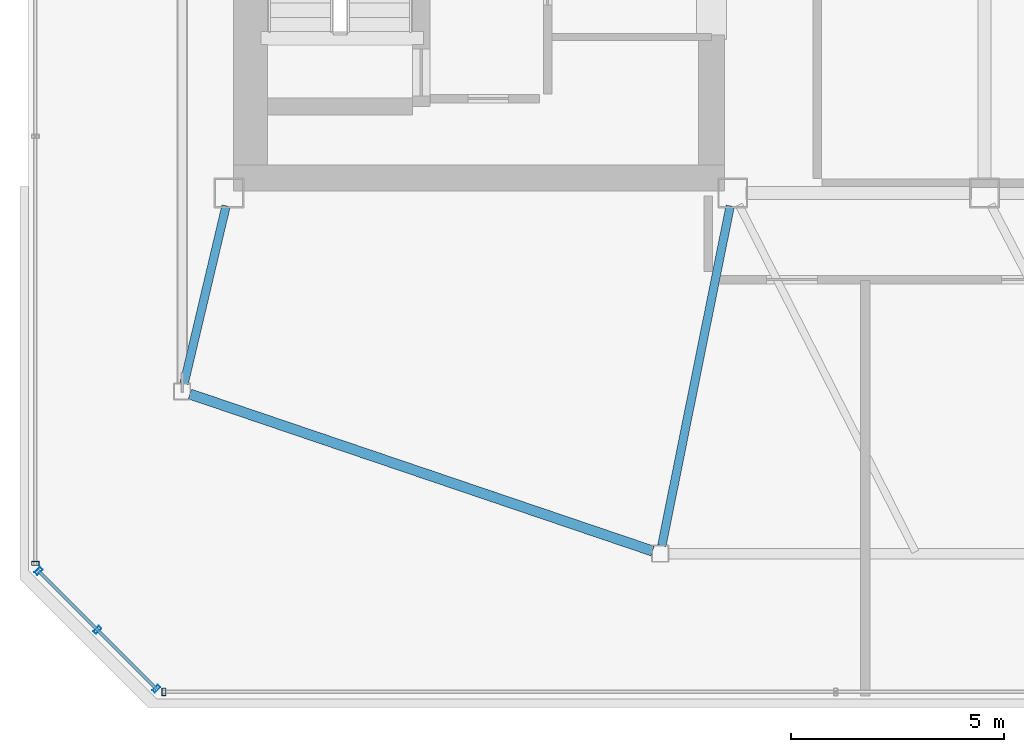
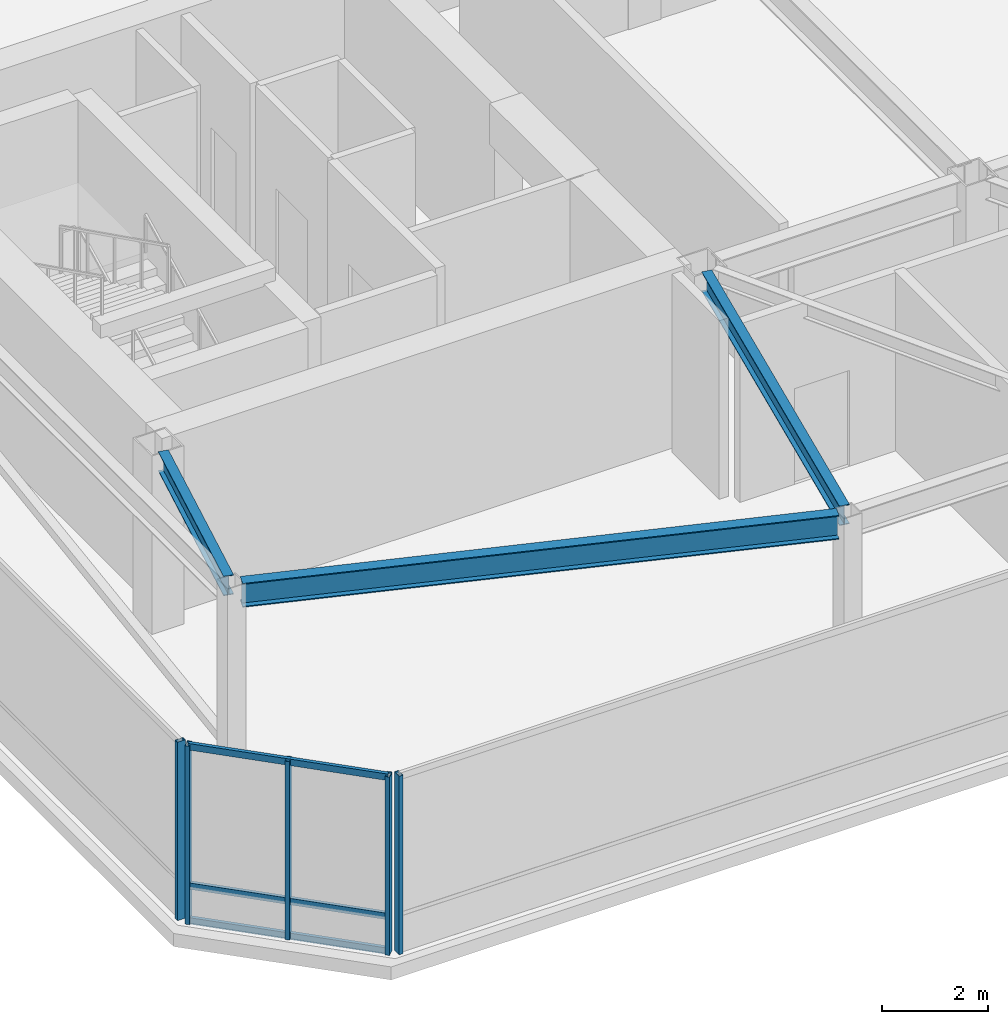
# One storey, part 2 of 22: 8 members, 3 beams, 3 elements without a shape of their own.
"""IFC4 building model written with IfcOpenShell, lengths in metres."""

from ifc_helpers import new_model, si_unit, direction, frame, origin, origin_2d, place, context, subcontext, project, spatial, hollow_rectangle, i_section, extrude, material, layer, layer_set, material_profile, profile_set, type_object, element, aggregate, save


model = new_model("IFC4")

# Units and contexts
model_context = context("Model", 3, precision=1e-05, world=origin(), true_north=direction((0.0, 1.0)))
body_context = subcontext(model_context, "Body", "Model", "MODEL_VIEW")
ifc_project = project(units=[si_unit("LENGTHUNIT", "METRE"), si_unit("AREAUNIT", "SQUARE_METRE"), si_unit("VOLUMEUNIT", "CUBIC_METRE"), si_unit("PLANEANGLEUNIT", "RADIAN"), si_unit("MASSUNIT", "GRAM", prefix="KILO")], contexts=[model_context])

# Site, building, storey
site_placement = place(None, origin())
site = spatial("IfcSite", under=ifc_project, at=site_placement, CompositionType="ELEMENT")
building_placement = place(site_placement, origin())
building = spatial("IfcBuilding", under=site, at=building_placement, Name="Tavrogorsk Clinical Tower", CompositionType="ELEMENT")
storey_placement = place(building_placement, frame((0.0, 0.0, 339.800048828125)))
storey = spatial("IfcBuildingStorey", under=building, at=storey_placement, Name="L79", CompositionType="ELEMENT", Elevation=339.800048828125)

# Curtain wall, members
ifc_material_1 = material(Name="Anodised aluminium and triple IGU glazing", Category="aluminium")
ifc_layer = layer(ifc_material_1, 0.179931640625)
ifc_layer_set = layer_set([ifc_layer], Name="Anodised aluminium and triple IGU glazing")
curtain_wall_type = type_object("IfcCurtainWallType", Name="CW6_TmdLantern", PredefinedType="NOTDEFINED", material=ifc_layer_set)
curtain_wall_1_placement = place(storey_placement, origin())
curtain_wall_1 = element("IfcCurtainWall", 1, at=curtain_wall_1_placement, inside=storey, type_object=curtain_wall_type, Name="L79 Curtain Wall CW-L79-DRUM-1", PredefinedType="NOTDEFINED")
ifc_material_2 = material(Name="Anodised aluminium alloy AW-6060", Category="aluminium")
ifc_material_profile_1 = material_profile(ifc_material_2, hollow_rectangle(XDim=0.090087890625, YDim=0.179931640625, WallThickness=0.00634765625, at=origin_2d()), Name="RHS-180x90x6.3")
ifc_profile_set_1 = profile_set([ifc_material_profile_1], Name="Anodised aluminium alloy AW-6060")
member_type_1 = type_object("IfcMemberType", Name="CwMullion_180x90", PredefinedType="MULLION", material=ifc_profile_set_1)
member_1_placement = place(storey_placement, frame((-23.807861328125, -17.9658203125, 0.0), z_axis=(0.0, 0.0, 1.0), x_axis=(-0.707106781187, 0.707106781187, 0.0)))
member_1 = element("IfcMember", 2, at=member_1_placement, type_object=member_type_1, Name="CW-L79-DRUM-1 Mullion 1", PredefinedType="MULLION", context=body_context, shape_type="SweptSolid", body=[
    extrude(hollow_rectangle(XDim=0.090087890625, YDim=0.179931640625, WallThickness=0.00634765625, at=origin_2d()), origin(), (0.0, 0.0, 1.0), 4.099853515625),
])
member_2_placement = place(storey_placement, frame((-25.186767578125, -16.5869140625, 0.0), z_axis=(0.0, 0.0, 1.0), x_axis=(-0.707106781187, 0.707106781187, 0.0)))
member_2 = element("IfcMember", 3, at=member_2_placement, type_object=member_type_1, Name="CW-L79-DRUM-1 Mullion 2", PredefinedType="MULLION", context=body_context, shape_type="SweptSolid", body=[
    extrude(hollow_rectangle(XDim=0.090087890625, YDim=0.179931640625, WallThickness=0.00634765625, at=origin_2d()), origin(), (0.0, 0.0, 1.0), 4.099853515625),
])
member_3_placement = place(storey_placement, frame((-26.565673828125, -15.2080078125, 0.0), z_axis=(0.0, 0.0, 1.0), x_axis=(-0.707106781187, 0.707106781187, 0.0)))
member_3 = element("IfcMember", 4, at=member_3_placement, type_object=member_type_1, Name="CW-L79-DRUM-1 Mullion 3", PredefinedType="MULLION", context=body_context, shape_type="SweptSolid", body=[
    extrude(hollow_rectangle(XDim=0.090087890625, YDim=0.179931640625, WallThickness=0.00634765625, at=origin_2d()), origin(), (0.0, 0.0, 1.0), 4.099853515625),
])

# Curtain wall, member
curtain_wall_2_placement = place(storey_placement, origin())
curtain_wall_2 = element("IfcCurtainWall", 5, at=curtain_wall_2_placement, inside=storey, type_object=curtain_wall_type, Name="L79 Curtain Wall CW-L79-DRUM-2", PredefinedType="NOTDEFINED")
member_4_placement = place(storey_placement, frame((-26.639892578125, -15.02880859375, 0.0), z_axis=(0.0, 0.0, 1.0), x_axis=(0.0, 1.0, 0.0)))
member_4 = element("IfcMember", 6, at=member_4_placement, type_object=member_type_1, Name="CW-L79-DRUM-2 Mullion 1", PredefinedType="MULLION", context=body_context, shape_type="SweptSolid", body=[
    extrude(hollow_rectangle(XDim=0.090087890625, YDim=0.179931640625, WallThickness=0.00634765625, at=origin_2d()), origin(), (0.0, 0.0, 1.0), 4.099853515625),
])
aggregate(curtain_wall_2, [member_4])

curtain_wall_3_placement = place(storey_placement, origin())
curtain_wall_3 = element("IfcCurtainWall", 7, at=curtain_wall_3_placement, inside=storey, type_object=curtain_wall_type, Name="L79 Curtain Wall CW-L79-DRUM-8", PredefinedType="NOTDEFINED")
member_5_placement = place(storey_placement, frame((-23.628662109375, -18.0400390625, 0.0), z_axis=(0.0, 0.0, 1.0), x_axis=(-1.0, 0.0, 0.0)))
member_5 = element("IfcMember", 8, at=member_5_placement, type_object=member_type_1, Name="CW-L79-DRUM-8 Mullion 4", PredefinedType="MULLION", context=body_context, shape_type="SweptSolid", body=[
    extrude(hollow_rectangle(XDim=0.090087890625, YDim=0.179931640625, WallThickness=0.00634765625, at=origin_2d()), origin(), (0.0, 0.0, 1.0), 4.099853515625),
])
aggregate(curtain_wall_3, [member_5])

# Member
ifc_material_3 = material(Name="Anodised aluminium alloy AW-6060", Category="aluminium")
ifc_material_profile_2 = material_profile(ifc_material_3, hollow_rectangle(XDim=0.074951171875, YDim=0.14990234375, WallThickness=0.0048828125, at=origin_2d()), Name="RHS-150x75x5")
ifc_profile_set_2 = profile_set([ifc_material_profile_2], Name="Anodised aluminium alloy AW-6060")
member_type_2 = type_object("IfcMemberType", Name="CwTransom_150x75", PredefinedType="USERDEFINED", material=ifc_profile_set_2)
member_6_placement = place(storey_placement, frame((-23.807861328125, -17.9658203125, 0.050048828125), z_axis=(-0.707106781187, 0.707106781187, 0.0), x_axis=(-0.707106781187, -0.707106781187, 0.0)))
member_6 = element("IfcMember", 9, at=member_6_placement, type_object=member_type_2, Name="CW-L79-DRUM-1 Transom 1", ObjectType="TRANSOM", PredefinedType="USERDEFINED", context=body_context, shape_type="SweptSolid", body=[
    extrude(hollow_rectangle(XDim=0.074951171875, YDim=0.14990234375, WallThickness=0.0048828125, at=origin_2d()), origin(), (0.0, 0.0, 1.0), 3.900146484375),
])

member_7_placement = place(storey_placement, frame((-23.807861328125, -17.9658203125, 0.849853515625), z_axis=(-0.707106781187, 0.707106781187, 0.0), x_axis=(-0.707106781187, -0.707106781187, 0.0)))
member_7 = element("IfcMember", 10, at=member_7_placement, type_object=member_type_2, Name="CW-L79-DRUM-1 Transom 2", ObjectType="TRANSOM", PredefinedType="USERDEFINED", context=body_context, shape_type="SweptSolid", body=[
    extrude(hollow_rectangle(XDim=0.074951171875, YDim=0.14990234375, WallThickness=0.0048828125, at=origin_2d()), origin(), (0.0, 0.0, 1.0), 3.900146484375),
])

member_8_placement = place(storey_placement, frame((-23.807861328125, -17.9658203125, 4.050048828125), z_axis=(-0.707106781187, 0.707106781187, 0.0), x_axis=(-0.707106781187, -0.707106781187, 0.0)))
member_8 = element("IfcMember", 11, at=member_8_placement, type_object=member_type_2, Name="CW-L79-DRUM-1 Transom 3", ObjectType="TRANSOM", PredefinedType="USERDEFINED", context=body_context, shape_type="SweptSolid", body=[
    extrude(hollow_rectangle(XDim=0.074951171875, YDim=0.14990234375, WallThickness=0.0048828125, at=origin_2d()), origin(), (0.0, 0.0, 1.0), 3.900146484375),
])

aggregate(curtain_wall_1, [member_1, member_2, member_3, member_6, member_7, member_8])

# Beams
ifc_material_4 = material(Name="Structural steel S355", Category="steel")
ifc_material_profile_3 = material_profile(ifc_material_4, i_section(OverallWidth=0.199951171875, OverallDepth=0.449951171875, WebThickness=0.011474609375, FlangeThickness=0.01806640625, at=origin_2d()), Name="B-450x200x11.5x18")
ifc_profile_set_3 = profile_set([ifc_material_profile_3], Name="Structural steel S355")
beam_type_1 = type_object("IfcBeamType", Name="FloorBeam_B450", PredefinedType="BEAM", material=ifc_profile_set_3)
beam_1_placement = place(storey_placement, frame((-10.361083984375, -6.65380859375, 3.875), z_axis=(-0.197249355273, -0.980353350504, 0.0), x_axis=(0.980353350504, -0.197249355273, 0.0)))
element("IfcBeam", 12, at=beam_1_placement, inside=storey, type_object=beam_type_1, Name="L79 Crown Radial Beam 01", PredefinedType="BEAM", context=body_context, shape_type="SweptSolid", body=[
    extrude(i_section(OverallWidth=0.199951171875, OverallDepth=0.449951171875, WebThickness=0.011474609375, FlangeThickness=0.01806640625, at=origin_2d()), origin(), (0.0, 0.0, 1.0), 8.119384765625),
])
beam_2_placement = place(storey_placement, frame((-22.17138671875, -6.651611328125, 3.875), z_axis=(-0.230190528398, -0.973145580392, 0.0), x_axis=(0.973145580392, -0.230190528398, 0.0)))
element("IfcBeam", 13, at=beam_2_placement, inside=storey, type_object=beam_type_1, Name="L79 Crown Radial Beam 10", PredefinedType="BEAM", context=body_context, shape_type="SweptSolid", body=[
    extrude(i_section(OverallWidth=0.199951171875, OverallDepth=0.449951171875, WebThickness=0.011474609375, FlangeThickness=0.01806640625, at=origin_2d()), origin(), (0.0, 0.0, 1.0), 4.278564453125),
])
ifc_material_5 = material(Name="Structural steel S390", Category="steel")
ifc_material_profile_4 = material_profile(ifc_material_5, i_section(OverallWidth=0.239990234375, OverallDepth=0.550048828125, WebThickness=0.013916015625, FlangeThickness=0.02197265625, at=origin_2d()), Name="B-550x240x14x22")
ifc_profile_set_4 = profile_set([ifc_material_profile_4], Name="Structural steel S390")
beam_type_2 = type_object("IfcBeamType", Name="SpandrelBeam_B550", PredefinedType="SPANDREL", material=ifc_profile_set_4)
beam_3_placement = place(storey_placement, frame((-23.02001953125, -11.06103515625, 3.824951171875), z_axis=(0.946976266831, -0.321303517034, 0.0), x_axis=(0.321303517034, 0.946976266831, 0.0)))
element("IfcBeam", 14, at=beam_3_placement, inside=storey, type_object=beam_type_2, Name="L79 Crown Spandrel Beam 10", PredefinedType="SPANDREL", context=body_context, shape_type="SweptSolid", body=[
    extrude(i_section(OverallWidth=0.239990234375, OverallDepth=0.550048828125, WebThickness=0.013916015625, FlangeThickness=0.02197265625, at=origin_2d()), origin(), (0.0, 0.0, 1.0), 11.447021484375),
])

save(model, "model.ifc")
